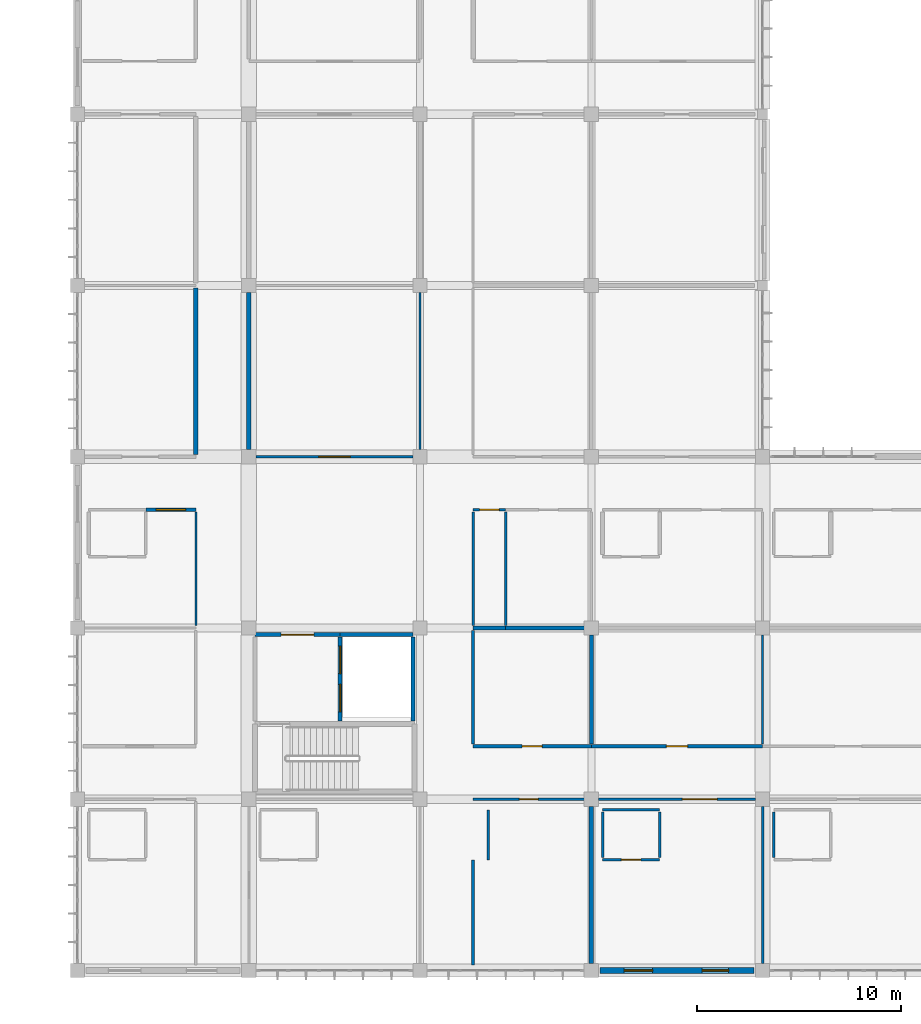
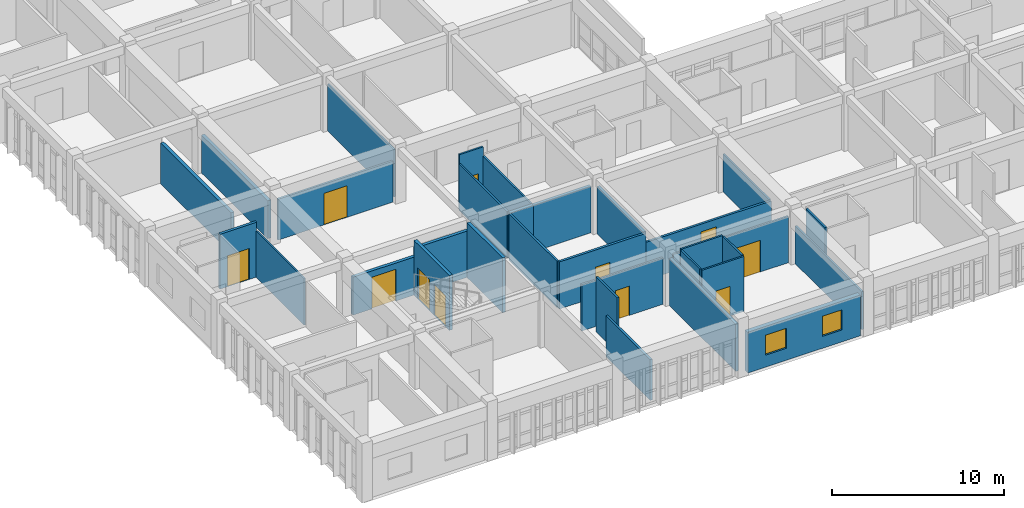
# One storey, part 79 of 119: 32 walls, 11 doors, 2 windows, 13 openings.
"""IFC4 building model written with IfcOpenShell, lengths in metres."""

from ifc_helpers import new_model, si_unit, direction, frame, frame_2d, origin, place, context, subcontext, project, spatial, rectangle, extrude, material, layer, layer_set, type_object, element, fill, save


model = new_model("IFC4")

# Units and contexts
model_context = context("Model", 3, precision=1e-05, world=origin(), true_north=direction((0.0, 1.0)))
body_context = subcontext(model_context, "Body", "Model", "MODEL_VIEW")
ifc_project = project(units=[si_unit("LENGTHUNIT", "METRE"), si_unit("AREAUNIT", "SQUARE_METRE"), si_unit("VOLUMEUNIT", "CUBIC_METRE"), si_unit("PLANEANGLEUNIT", "RADIAN"), si_unit("MASSUNIT", "GRAM", prefix="KILO")], contexts=[model_context])

# Site, building, storey
site_placement = place(None, origin())
site = spatial("IfcSite", under=ifc_project, at=site_placement, CompositionType="ELEMENT")
building_placement = place(site_placement, origin())
building = spatial("IfcBuilding", under=site, at=building_placement, Name="Bramfleet General Hospital", CompositionType="ELEMENT")
storey_placement = place(building_placement, frame((0.0, 0.0, 14.39990234375)))
storey = spatial("IfcBuildingStorey", under=building, at=storey_placement, Name="L03", CompositionType="ELEMENT", Elevation=14.39990234375)

# Wall, openings, windows
ifc_material_1 = material(Name="Precast concrete C40/50", Category="concrete")
ifc_layer_1 = layer(ifc_material_1, 0.294921875, Name="WT-EW-05")
ifc_layer_set_1 = layer_set([ifc_layer_1], Name="Precast concrete C40/50")
wall_type_1 = type_object("IfcWallType", Name="WT-EW-05", PredefinedType="SOLIDWALL", material=ifc_layer_set_1)
wall_1_placement = place(storey_placement, frame((125.574951171875, 0.0, 0.0), z_axis=(0.0, 0.0, 1.0), x_axis=(-1.0, 0.0, 0.0)))
wall_1 = element("IfcWall", 1, at=wall_1_placement, inside=storey, type_object=wall_type_1, Name="L03 Exterior Wall 269", PredefinedType="SOLIDWALL", context=body_context, shape_type="SweptSolid", body=[
    extrude(rectangle(XDim=7.550048828125, YDim=0.294921875, at=frame_2d((3.77490234375, 0.0))), origin(), (0.0, 0.0, 1.0), 2.89013671875),
])
opening_1_placement = place(wall_1_placement, frame((1.237548828125, 0.0, 0.85009765625)))
opening_1 = element("IfcOpeningElement", 2, at=opening_1_placement, cuts=wall_1, Name="Opening W-14", PredefinedType="OPENING", context=body_context, shape_type="SweptSolid", body=[
    extrude(rectangle(XDim=1.300048828125, YDim=1.419921875, at=frame_2d((0.64990234375, 0.7099609375))), frame((0.0, 0.157470703125, 0.0), z_axis=(0.0, -1.0, 0.0), x_axis=(1.0, 0.0, 0.0)), (0.0, 0.0, 1.0), 0.31494140625),
])
opening_2_placement = place(wall_1_placement, frame((4.96240234375, 0.0, 0.85009765625)))
opening_2 = element("IfcOpeningElement", 3, at=opening_2_placement, cuts=wall_1, Name="Opening W-15", PredefinedType="OPENING", context=body_context, shape_type="SweptSolid", body=[
    extrude(rectangle(XDim=1.39990234375, YDim=1.419921875, at=frame_2d((0.699951171875, 0.7099609375))), frame((0.0, 0.157470703125, 0.0), z_axis=(0.0, -1.0, 0.0), x_axis=(1.0, 0.0, 0.0)), (0.0, 0.0, 1.0), 0.31494140625),
])
ifc_material_2 = material(Name="Anodised aluminium and low-E triple glazing", Category="aluminium")
window_type_1 = type_object("IfcWindowType", Name="WIN-W-14", PartitioningType="SINGLE_PANEL", PredefinedType="WINDOW", material=ifc_material_2)
window_1_placement = place(opening_1_placement, origin())
window_1 = element("IfcWindow", 4, at=window_1_placement, inside=storey, type_object=window_type_1, Name="L03 Facade Window WIN-L03-269-1", OverallHeight=1.419921875, OverallWidth=1.300048828125, PartitioningType="SINGLE_PANEL", PredefinedType="WINDOW", context=body_context, shape_type="SweptSolid", body=[
    extrude(rectangle(XDim=1.300048828125, YDim=1.419921875, at=frame_2d((0.64990234375, 0.7099609375))), frame((0.0, 0.030029296875, 0.0), z_axis=(0.0, -1.0, 0.0), x_axis=(1.0, 0.0, 0.0)), (0.0, 0.0, 1.0), 0.06005859375),
])
fill(opening_1, window_1)
window_type_2 = type_object("IfcWindowType", Name="WIN-W-15", PartitioningType="SINGLE_PANEL", PredefinedType="WINDOW", material=ifc_material_2)
window_2_placement = place(opening_2_placement, origin())
window_2 = element("IfcWindow", 5, at=window_2_placement, inside=storey, type_object=window_type_2, Name="L03 Facade Window WIN-L03-269-2", OverallHeight=1.419921875, OverallWidth=1.39990234375, PartitioningType="SINGLE_PANEL", PredefinedType="WINDOW", context=body_context, shape_type="SweptSolid", body=[
    extrude(rectangle(XDim=1.39990234375, YDim=1.419921875, at=frame_2d((0.699951171875, 0.7099609375))), frame((0.0, 0.030029296875, 0.0), z_axis=(0.0, -1.0, 0.0), x_axis=(1.0, 0.0, 0.0)), (0.0, 0.0, 1.0), 0.06005859375),
])
fill(opening_2, window_2)

# Walls
ifc_material_3 = material(Name="Concrete C35/45", Category="concrete")
ifc_layer_2 = layer(ifc_material_3, 0.219970703125, Name="WT-IW-01")
ifc_layer_set_2 = layer_set([ifc_layer_2], Name="Concrete C35/45")
wall_type_2 = type_object("IfcWallType", Name="WT-IW-01", PredefinedType="PARTITIONING", material=ifc_layer_set_2)
wall_2_placement = place(storey_placement, frame((111.800048828125, 16.800048828125, 0.0), z_axis=(0.0, 0.0, 1.0), x_axis=(1.0, 0.0, 0.0)))
element("IfcWall", 6, at=wall_2_placement, inside=storey, type_object=wall_type_2, Name="L03 Interior Partition IW-L03-2485", PredefinedType="PARTITIONING", context=body_context, shape_type="SweptSolid", body=[
    extrude(rectangle(XDim=1.599853515625, YDim=0.219970703125, at=frame_2d((0.7998046875, 0.0))), origin(), (0.0, 0.0, 1.0), 3.2900390625),
])
wall_3_placement = place(storey_placement, frame((98.199951171875, 25.31494140625, 0.0), z_axis=(0.0, 0.0, 1.0), x_axis=(0.0, 1.0, 0.0)))
element("IfcWall", 7, at=wall_3_placement, inside=storey, type_object=wall_type_2, Name="L03 Interior Partition IW-L03-2929", PredefinedType="PARTITIONING", context=body_context, shape_type="SweptSolid", body=[
    extrude(rectangle(XDim=8.170166015625, YDim=0.219970703125, at=frame_2d((4.0849609375, 0.0))), origin(), (0.0, 0.0, 1.0), 2.89013671875),
])
wall_4_placement = place(storey_placement, frame((100.800048828125, 25.544921875, 0.0), z_axis=(0.0, 0.0, 1.0), x_axis=(0.0, 1.0, 0.0)))
element("IfcWall", 8, at=wall_4_placement, inside=storey, type_object=wall_type_2, Name="L03 Interior Partition IW-L03-2941", PredefinedType="PARTITIONING", context=body_context, shape_type="SweptSolid", body=[
    extrude(rectangle(XDim=7.7099609375, YDim=0.219970703125, at=frame_2d((3.85498046875, 0.0))), origin(), (0.0, 0.0, 1.0), 2.690185546875),
])

# Wall, openings, doors
ifc_layer_3 = layer(ifc_material_3, 0.205078125, Name="WT-IW-02")
ifc_layer_set_3 = layer_set([ifc_layer_3], Name="Concrete C35/45")
wall_type_3 = type_object("IfcWallType", Name="WT-IW-02", PredefinedType="PARTITIONING", material=ifc_layer_set_3)
wall_5_placement = place(storey_placement, frame((105.280029296875, 12.239990234375, 0.0), z_axis=(0.0, 0.0, 1.0), x_axis=(0.0, 1.0, 0.0)))
wall_5 = element("IfcWall", 9, at=wall_5_placement, inside=storey, type_object=wall_type_3, Name="L03 C3 Lobby East Shaft Wall", PredefinedType="PARTITIONING", context=body_context, shape_type="SweptSolid", body=[
    extrude(rectangle(XDim=4.1201171875, YDim=0.205078125, at=frame_2d((2.06005859375, 0.0))), origin(), (0.0, 0.0, 1.0), 3.89013671875),
])
opening_3_placement = place(wall_5_placement, frame((0.445068359375, 0.0, 0.0)))
opening_3 = element("IfcOpeningElement", 10, at=opening_3_placement, cuts=wall_5, Name="Opening LD-FL-01-L03", PredefinedType="OPENING", context=body_context, shape_type="SweptSolid", body=[
    extrude(rectangle(XDim=1.35009765625, YDim=2.199951171875, at=frame_2d((0.675048828125, 1.10009765625))), frame((0.0, 0.112548828125, 0.0), z_axis=(0.0, -1.0, 0.0), x_axis=(1.0, 0.0, 0.0)), (0.0, 0.0, 1.0), 0.22509765625),
])
opening_4_placement = place(wall_5_placement, frame((2.324951171875, 0.0, 0.0)))
opening_4 = element("IfcOpeningElement", 11, at=opening_4_placement, cuts=wall_5, Name="Opening LD-BL-03-L03", PredefinedType="OPENING", context=body_context, shape_type="SweptSolid", body=[
    extrude(rectangle(XDim=1.35009765625, YDim=2.199951171875, at=frame_2d((0.675048828125, 1.10009765625))), frame((0.0, 0.112548828125, 0.0), z_axis=(0.0, -1.0, 0.0), x_axis=(1.0, 0.0, 0.0)), (0.0, 0.0, 1.0), 0.22509765625),
])
ifc_material_4 = material(Name="Brushed stainless steel 1.4301", Category="steel")
door_type_1 = type_object("IfcDoorType", Name="DR-LD-01", OperationType="NOTDEFINED", PredefinedType="DOOR", material=ifc_material_4)
door_1_placement = place(opening_3_placement, origin())
door_1 = element("IfcDoor", 12, at=door_1_placement, inside=storey, type_object=door_type_1, Name="L03 Lift FL-01 Sliding Landing Door", OperationType="SLIDING_TO_LEFT", OverallHeight=2.199951171875, OverallWidth=1.35009765625, PredefinedType="DOOR", context=body_context, shape_type="SweptSolid", body=[
    extrude(rectangle(XDim=1.35009765625, YDim=2.199951171875, at=frame_2d((0.675048828125, 1.10009765625))), frame((0.0, 0.02490234375, 0.0), z_axis=(0.0, -1.0, 0.0), x_axis=(1.0, 0.0, 0.0)), (0.0, 0.0, 1.0), 0.050048828125),
])
fill(opening_3, door_1)
door_2_placement = place(opening_4_placement, origin())
door_2 = element("IfcDoor", 13, at=door_2_placement, inside=storey, type_object=door_type_1, Name="L03 Lift BL-03 Sliding Landing Door", OperationType="SLIDING_TO_LEFT", OverallHeight=2.199951171875, OverallWidth=1.35009765625, PredefinedType="DOOR", context=body_context, shape_type="SweptSolid", body=[
    extrude(rectangle(XDim=1.35009765625, YDim=2.199951171875, at=frame_2d((0.675048828125, 1.10009765625))), frame((0.0, 0.02490234375, 0.0), z_axis=(0.0, -1.0, 0.0), x_axis=(1.0, 0.0, 0.0)), (0.0, 0.0, 1.0), 0.050048828125),
])
fill(opening_4, door_2)

# Walls
wall_6_placement = place(storey_placement, frame((108.85009765625, 12.239990234375, 0.0), z_axis=(0.0, 0.0, 1.0), x_axis=(0.0, 1.0, 0.0)))
element("IfcWall", 14, at=wall_6_placement, inside=storey, type_object=wall_type_3, Name="L03 C3 Lift Shaft East Wall", PredefinedType="PARTITIONING", context=body_context, shape_type="SweptSolid", body=[
    extrude(rectangle(XDim=4.1201171875, YDim=0.205078125, at=frame_2d((2.06005859375, 0.0))), origin(), (0.0, 0.0, 1.0), 3.89013671875),
])
wall_7_placement = place(storey_placement, frame((105.280029296875, 16.47998046875, 0.0), z_axis=(0.0, 0.0, 1.0), x_axis=(1.0, 0.0, 0.0)))
element("IfcWall", 15, at=wall_7_placement, inside=storey, type_object=wall_type_3, Name="L03 C3 Lift Shaft North Wall", PredefinedType="PARTITIONING", context=body_context, shape_type="SweptSolid", body=[
    extrude(rectangle(XDim=3.570068359375, YDim=0.205078125, at=frame_2d((1.78515625, 0.0))), origin(), (0.0, 0.0, 1.0), 3.2900390625),
])

# Wall, opening, door
wall_8_placement = place(storey_placement, frame((101.10009765625, 16.47998046875, 0.0), z_axis=(0.0, 0.0, 1.0), x_axis=(1.0, 0.0, 0.0)))
wall_8 = element("IfcWall", 16, at=wall_8_placement, inside=storey, type_object=wall_type_3, Name="L03 C3 Lobby North Compartment Wall", PredefinedType="PARTITIONING", context=body_context, shape_type="SweptSolid", body=[
    extrude(rectangle(XDim=4.179931640625, YDim=0.205078125, at=frame_2d((2.08984375, 0.0))), origin(), (0.0, 0.0, 1.0), 2.690185546875),
])
opening_5_placement = place(wall_8_placement, frame((1.2900390625, 0.0, 0.0)))
opening_5 = element("IfcOpeningElement", 17, at=opening_5_placement, cuts=wall_8, Name="Opening D0028", PredefinedType="OPENING", context=body_context, shape_type="SweptSolid", body=[
    extrude(rectangle(XDim=1.60009765625, YDim=2.25, at=frame_2d((0.800048828125, 1.125))), frame((0.0, 0.112548828125, 0.0), z_axis=(0.0, -1.0, 0.0), x_axis=(1.0, 0.0, 0.0)), (0.0, 0.0, 1.0), 0.22509765625),
])
ifc_material_5 = material(Name="Stainless steel and acoustic timber leaf", Category="steel")
door_type_2 = type_object("IfcDoorType", Name="DR-D-04", OperationType="NOTDEFINED", PredefinedType="DOOR", material=ifc_material_5)
door_3_placement = place(opening_5_placement, origin())
door_3 = element("IfcDoor", 18, at=door_3_placement, inside=storey, type_object=door_type_2, Name="L03 C3 Lobby Fire Door D0028", OperationType="DOUBLE_SWING_LEFT", OverallHeight=2.25, OverallWidth=1.60009765625, PredefinedType="DOOR", context=body_context, shape_type="SweptSolid", body=[
    extrude(rectangle(XDim=1.60009765625, YDim=2.25, at=frame_2d((0.800048828125, 1.125))), frame((0.0, 0.02490234375, 0.0), z_axis=(0.0, -1.0, 0.0), x_axis=(1.0, 0.0, 0.0)), (0.0, 0.0, 1.0), 0.050048828125),
])
fill(opening_5, door_3)

# Walls
wall_9_placement = place(storey_placement, frame((113.39990234375, 16.800048828125, 0.0), z_axis=(0.0, 0.0, 1.0), x_axis=(1.0, 0.0, 0.0)))
element("IfcWall", 19, at=wall_9_placement, inside=storey, type_object=wall_type_3, Name="L03 Interior Partition IW-L03-2486", PredefinedType="PARTITIONING", context=body_context, shape_type="SweptSolid", body=[
    extrude(rectangle(XDim=3.85498046875, YDim=0.205078125, at=frame_2d((1.927490234375, 0.0))), origin(), (0.0, 0.0, 1.0), 3.2900390625),
])
wall_10_placement = place(storey_placement, frame((117.60009765625, 0.344970703125, 0.0), z_axis=(0.0, 0.0, 1.0), x_axis=(0.0, 1.0, 0.0)))
element("IfcWall", 20, at=wall_10_placement, inside=storey, type_object=wall_type_3, Name="L03 Interior Partition IW-L03-2978", PredefinedType="PARTITIONING", context=body_context, shape_type="SweptSolid", body=[
    extrude(rectangle(XDim=7.7099609375, YDim=0.205078125, at=frame_2d((3.85498046875, 0.0))), origin(), (0.0, 0.0, 1.0), 3.340087890625),
])
ifc_layer_4 = layer(ifc_material_3, 0.18994140625, Name="WT-IW-03")
ifc_layer_set_4 = layer_set([ifc_layer_4], Name="Concrete C35/45")
wall_type_4 = type_object("IfcWallType", Name="WT-IW-03", PredefinedType="PARTITIONING", material=ifc_layer_set_4)
wall_11_placement = place(storey_placement, frame((117.60009765625, 11.114990234375, 0.0), z_axis=(0.0, 0.0, 1.0), x_axis=(0.0, 1.0, 0.0)))
element("IfcWall", 21, at=wall_11_placement, inside=storey, type_object=wall_type_4, Name="L03 Interior Partition IW-L03-2979", PredefinedType="PARTITIONING", context=body_context, shape_type="SweptSolid", body=[
    extrude(rectangle(XDim=5.340087890625, YDim=0.18994140625, at=frame_2d((2.669921875, 0.0))), origin(), (0.0, 0.0, 1.0), 3.340087890625),
])

# Wall, opening, door
ifc_material_6 = material(Name="Gypsum plasterboard on acoustic steel studs", Category="steel")
ifc_layer_5 = layer(ifc_material_6, 0.169921875, Name="WT-IW-05")
ifc_layer_set_5 = layer_set([ifc_layer_5], Name="Gypsum plasterboard on acoustic steel studs")
wall_type_5 = type_object("IfcWallType", Name="WT-IW-05", PredefinedType="PARTITIONING", material=ifc_layer_set_5)
wall_12_placement = place(storey_placement, frame((95.75, 22.60009765625, 0.0), z_axis=(0.0, 0.0, 1.0), x_axis=(1.0, 0.0, 0.0)))
wall_12 = element("IfcWall", 22, at=wall_12_placement, inside=storey, type_object=wall_type_5, Name="L03 Interior Partition IW-L03-2501", PredefinedType="PARTITIONING", context=body_context, shape_type="SweptSolid", body=[
    extrude(rectangle(XDim=2.449951171875, YDim=0.169921875, at=frame_2d((1.22509765625, 0.0))), origin(), (0.0, 0.0, 1.0), 3.89013671875),
])
opening_6_placement = place(wall_12_placement, frame((0.5, 0.0, 0.0)))
opening_6 = element("IfcOpeningElement", 23, at=opening_6_placement, cuts=wall_12, Name="Opening D1123", PredefinedType="OPENING", context=body_context, shape_type="SweptSolid", body=[
    extrude(rectangle(XDim=1.449951171875, YDim=2.199951171875, at=frame_2d((0.72509765625, 1.10009765625))), frame((0.0, 0.094970703125, 0.0), z_axis=(0.0, -1.0, 0.0), x_axis=(1.0, 0.0, 0.0)), (0.0, 0.0, 1.0), 0.18994140625),
])
door_type_3 = type_object("IfcDoorType", Name="DR-D-03", OperationType="NOTDEFINED", PredefinedType="DOOR", material=ifc_material_5)
door_4_placement = place(opening_6_placement, origin())
door_4 = element("IfcDoor", 24, at=door_4_placement, inside=storey, type_object=door_type_3, Name="Paediatric Ward Bedroom L03-1102 Door D1123", OperationType="SINGLE_SWING_RIGHT", OverallHeight=2.199951171875, OverallWidth=1.449951171875, PredefinedType="DOOR", context=body_context, shape_type="SweptSolid", body=[
    extrude(rectangle(XDim=1.449951171875, YDim=2.199951171875, at=frame_2d((0.72509765625, 1.10009765625))), frame((0.0, 0.02490234375, 0.0), z_axis=(0.0, -1.0, 0.0), x_axis=(1.0, 0.0, 0.0)), (0.0, 0.0, 1.0), 0.050048828125),
])
fill(opening_6, door_4)

ifc_layer_6 = layer(ifc_material_6, 0.159912109375, Name="WT-IW-06")
ifc_layer_set_6 = layer_set([ifc_layer_6], Name="Gypsum plasterboard on acoustic steel studs")
wall_type_6 = type_object("IfcWallType", Name="WT-IW-06", PredefinedType="PARTITIONING", material=ifc_layer_set_6)
wall_13_placement = place(storey_placement, frame((111.800048828125, 11.0, 0.0), z_axis=(0.0, 0.0, 1.0), x_axis=(1.0, 0.0, 0.0)))
wall_13 = element("IfcWall", 25, at=wall_13_placement, inside=storey, type_object=wall_type_6, Name="L03 Interior Partition IW-L03-2478", PredefinedType="PARTITIONING", context=body_context, shape_type="SweptSolid", body=[
    extrude(rectangle(XDim=5.800048828125, YDim=0.159912109375, at=frame_2d((2.89990234375, 0.0))), origin(), (0.0, 0.0, 1.0), 3.340087890625),
])
opening_7_placement = place(wall_13_placement, frame((2.409912109375, 0.0, 0.0)))
opening_7 = element("IfcOpeningElement", 26, at=opening_7_placement, cuts=wall_13, Name="Opening D1146", PredefinedType="OPENING", context=body_context, shape_type="SweptSolid", body=[
    extrude(rectangle(XDim=0.97998046875, YDim=2.1201171875, at=frame_2d((0.489990234375, 1.06005859375))), frame((0.0, 0.08984375, 0.0), z_axis=(0.0, -1.0, 0.0), x_axis=(1.0, 0.0, 0.0)), (0.0, 0.0, 1.0), 0.179931640625),
])
door_type_4 = type_object("IfcDoorType", Name="DR-D-26", OperationType="NOTDEFINED", PredefinedType="DOOR", material=ifc_material_5)
door_5_placement = place(opening_7_placement, origin())
door_5 = element("IfcDoor", 27, at=door_5_placement, inside=storey, type_object=door_type_4, Name="Paediatric Nurse Station and Play Lounge L03-1301 Door D1146", OperationType="SINGLE_SWING_LEFT", OverallHeight=2.1201171875, OverallWidth=0.97998046875, PredefinedType="DOOR", context=body_context, shape_type="SweptSolid", body=[
    extrude(rectangle(XDim=0.97998046875, YDim=2.1201171875, at=frame_2d((0.489990234375, 1.06005859375))), frame((0.0, 0.02490234375, 0.0), z_axis=(0.0, -1.0, 0.0), x_axis=(1.0, 0.0, 0.0)), (0.0, 0.0, 1.0), 0.050048828125),
])
fill(opening_7, door_5)

ifc_layer_7 = layer(ifc_material_6, 0.14990234375, Name="WT-IW-07")
ifc_layer_set_7 = layer_set([ifc_layer_7], Name="Gypsum plasterboard on acoustic steel studs")
wall_type_7 = type_object("IfcWallType", Name="WT-IW-07", PredefinedType="PARTITIONING", material=ifc_layer_set_7)
wall_14_placement = place(storey_placement, frame((117.60009765625, 11.0, 0.0), z_axis=(0.0, 0.0, 1.0), x_axis=(1.0, 0.0, 0.0)))
wall_14 = element("IfcWall", 28, at=wall_14_placement, inside=storey, type_object=wall_type_7, Name="L03 Interior Partition IW-L03-2479", PredefinedType="PARTITIONING", context=body_context, shape_type="SweptSolid", body=[
    extrude(rectangle(XDim=8.39990234375, YDim=0.14990234375, at=frame_2d((4.199951171875, 0.0))), origin(), (0.0, 0.0, 1.0), 2.690185546875),
])
opening_8_placement = place(wall_14_placement, frame((3.675048828125, 0.0, 0.0)))
opening_8 = element("IfcOpeningElement", 29, at=opening_8_placement, cuts=wall_14, Name="Opening D1161", PredefinedType="OPENING", context=body_context, shape_type="SweptSolid", body=[
    extrude(rectangle(XDim=1.050048828125, YDim=2.14990234375, at=frame_2d((0.52490234375, 1.074951171875))), frame((0.0, 0.0849609375, 0.0), z_axis=(0.0, -1.0, 0.0), x_axis=(1.0, 0.0, 0.0)), (0.0, 0.0, 1.0), 0.169921875),
])
door_type_5 = type_object("IfcDoorType", Name="DR-D-09", OperationType="NOTDEFINED", PredefinedType="DOOR", material=ifc_material_5)
door_6_placement = place(opening_8_placement, origin())
door_6 = element("IfcDoor", 30, at=door_6_placement, inside=storey, type_object=door_type_5, Name="Paediatric Nurse Station and Play Lounge L03-1401 Door D1161", OperationType="SINGLE_SWING_RIGHT", OverallHeight=2.14990234375, OverallWidth=1.050048828125, PredefinedType="DOOR", context=body_context, shape_type="SweptSolid", body=[
    extrude(rectangle(XDim=1.050048828125, YDim=2.14990234375, at=frame_2d((0.52490234375, 1.074951171875))), frame((0.0, 0.02490234375, 0.0), z_axis=(0.0, -1.0, 0.0), x_axis=(1.0, 0.0, 0.0)), (0.0, 0.0, 1.0), 0.050048828125),
])
fill(opening_8, door_6)

ifc_layer_8 = layer(ifc_material_6, 0.139892578125, Name="WT-IW-08")
ifc_layer_set_8 = layer_set([ifc_layer_8], Name="Gypsum plasterboard on acoustic steel studs")
wall_type_8 = type_object("IfcWallType", Name="WT-IW-08", PredefinedType="PARTITIONING", material=ifc_layer_set_8)
wall_15_placement = place(storey_placement, frame((101.14501953125, 25.199951171875, 0.0), z_axis=(0.0, 0.0, 1.0), x_axis=(1.0, 0.0, 0.0)))
wall_15 = element("IfcWall", 31, at=wall_15_placement, inside=storey, type_object=wall_type_8, Name="L03 Interior Partition IW-L03-2516", PredefinedType="PARTITIONING", context=body_context, shape_type="SweptSolid", body=[
    extrude(rectangle(XDim=7.7099609375, YDim=0.139892578125, at=frame_2d((3.85498046875, 0.0))), origin(), (0.0, 0.0, 1.0), 2.89013671875),
])
opening_9_placement = place(wall_15_placement, frame((3.0849609375, 0.0, 0.0)))
opening_9 = element("IfcOpeningElement", 32, at=opening_9_placement, cuts=wall_15, Name="Opening D1137", PredefinedType="OPENING", context=body_context, shape_type="SweptSolid", body=[
    extrude(rectangle(XDim=1.5400390625, YDim=2.239990234375, at=frame_2d((0.77001953125, 1.1201171875))), frame((0.0, 0.079833984375, 0.0), z_axis=(0.0, -1.0, 0.0), x_axis=(1.0, 0.0, 0.0)), (0.0, 0.0, 1.0), 0.159912109375),
])
door_type_6 = type_object("IfcDoorType", Name="DR-D-17", OperationType="NOTDEFINED", PredefinedType="DOOR", material=ifc_material_5)
door_7_placement = place(opening_9_placement, origin())
door_7 = element("IfcDoor", 33, at=door_7_placement, inside=storey, type_object=door_type_6, Name="Maternity Delivery Suite and Clinical Lab L03-1203 Door D1137", OperationType="SINGLE_SWING_RIGHT", OverallHeight=2.239990234375, OverallWidth=1.5400390625, PredefinedType="DOOR", context=body_context, shape_type="SweptSolid", body=[
    extrude(rectangle(XDim=1.5400390625, YDim=2.239990234375, at=frame_2d((0.77001953125, 1.1201171875))), frame((0.0, 0.02490234375, 0.0), z_axis=(0.0, -1.0, 0.0), x_axis=(1.0, 0.0, 0.0)), (0.0, 0.0, 1.0), 0.050048828125),
])
fill(opening_9, door_7)

# Walls
wall_16_placement = place(storey_placement, frame((111.800048828125, 0.280029296875, 0.0), z_axis=(0.0, 0.0, 1.0), x_axis=(0.0, 1.0, 0.0)))
element("IfcWall", 34, at=wall_16_placement, inside=storey, type_object=wall_type_8, Name="L03 Interior Partition IW-L03-2960", PredefinedType="PARTITIONING", context=body_context, shape_type="SweptSolid", body=[
    extrude(rectangle(XDim=5.14990234375, YDim=0.139892578125, at=frame_2d((2.574951171875, 0.0))), origin(), (0.0, 0.0, 1.0), 2.89013671875),
])
ifc_layer_9 = layer(ifc_material_6, 0.1298828125, Name="WT-IW-09")
ifc_layer_set_9 = layer_set([ifc_layer_9], Name="Gypsum plasterboard on acoustic steel studs")
wall_type_9 = type_object("IfcWallType", Name="WT-IW-09", PredefinedType="PARTITIONING", material=ifc_layer_set_9)
wall_17_placement = place(storey_placement, frame((111.800048828125, 11.114990234375, 0.0), z_axis=(0.0, 0.0, 1.0), x_axis=(0.0, 1.0, 0.0)))
element("IfcWall", 35, at=wall_17_placement, inside=storey, type_object=wall_type_9, Name="L03 Interior Partition IW-L03-2961", PredefinedType="PARTITIONING", context=body_context, shape_type="SweptSolid", body=[
    extrude(rectangle(XDim=5.570068359375, YDim=0.1298828125, at=frame_2d((2.78515625, 0.0))), origin(), (0.0, 0.0, 1.0), 3.2900390625),
])
wall_18_placement = place(storey_placement, frame((112.550048828125, 5.429931640625, 0.0), z_axis=(0.0, 0.0, 1.0), x_axis=(0.0, 1.0, 0.0)))
element("IfcWall", 36, at=wall_18_placement, inside=storey, type_object=wall_type_9, Name="L03 Interior Partition IW-L03-2973", PredefinedType="PARTITIONING", context=body_context, shape_type="SweptSolid", body=[
    extrude(rectangle(XDim=2.449951171875, YDim=0.1298828125, at=frame_2d((1.22509765625, 0.0))), origin(), (0.0, 0.0, 1.0), 3.89013671875),
])

# Wall, opening, door
ifc_layer_10 = layer(ifc_material_6, 0.1201171875, Name="WT-IW-10")
ifc_layer_set_10 = layer_set([ifc_layer_10], Name="Gypsum plasterboard on acoustic steel studs")
wall_type_10 = type_object("IfcWallType", Name="WT-IW-10", PredefinedType="PARTITIONING", material=ifc_layer_set_10)
wall_19_placement = place(storey_placement, frame((118.14990234375, 5.429931640625, 0.0), z_axis=(0.0, 0.0, 1.0), x_axis=(1.0, 0.0, 0.0)))
wall_19 = element("IfcWall", 37, at=wall_19_placement, inside=storey, type_object=wall_type_10, Name="L03 Interior Partition IW-L03-2456", PredefinedType="PARTITIONING", context=body_context, shape_type="SweptSolid", body=[
    extrude(rectangle(XDim=2.800048828125, YDim=0.1201171875, at=frame_2d((1.39990234375, 0.0))), origin(), (0.0, 0.0, 1.0), 3.89013671875),
])
opening_10_placement = place(wall_19_placement, frame((0.925048828125, 0.0, 0.0)))
opening_10 = element("IfcOpeningElement", 38, at=opening_10_placement, cuts=wall_19, Name="Opening D1160", PredefinedType="OPENING", context=body_context, shape_type="SweptSolid", body=[
    extrude(rectangle(XDim=0.949951171875, YDim=2.10009765625, at=frame_2d((0.47509765625, 1.050048828125))), frame((0.0, 0.070068359375, 0.0), z_axis=(0.0, -1.0, 0.0), x_axis=(1.0, 0.0, 0.0)), (0.0, 0.0, 1.0), 0.14013671875),
])
door_type_7 = type_object("IfcDoorType", Name="DR-D-10", OperationType="NOTDEFINED", PredefinedType="DOOR", material=ifc_material_5)
door_8_placement = place(opening_10_placement, origin())
door_8 = element("IfcDoor", 39, at=door_8_placement, inside=storey, type_object=door_type_7, Name="Paediatric En-Suite Bathroom L03-1400 Door D1160", OperationType="SINGLE_SWING_LEFT", OverallHeight=2.10009765625, OverallWidth=0.949951171875, PredefinedType="DOOR", context=body_context, shape_type="SweptSolid", body=[
    extrude(rectangle(XDim=0.949951171875, YDim=2.10009765625, at=frame_2d((0.47509765625, 1.050048828125))), frame((0.0, 0.02490234375, 0.0), z_axis=(0.0, -1.0, 0.0), x_axis=(1.0, 0.0, 0.0)), (0.0, 0.0, 1.0), 0.050048828125),
])
fill(opening_10, door_8)

# Wall
wall_20_placement = place(storey_placement, frame((118.14990234375, 7.8798828125, 0.0), z_axis=(0.0, 0.0, 1.0), x_axis=(1.0, 0.0, 0.0)))
element("IfcWall", 40, at=wall_20_placement, inside=storey, type_object=wall_type_10, Name="L03 Interior Partition IW-L03-2463", PredefinedType="PARTITIONING", context=body_context, shape_type="SweptSolid", body=[
    extrude(rectangle(XDim=2.800048828125, YDim=0.1201171875, at=frame_2d((1.39990234375, 0.0))), origin(), (0.0, 0.0, 1.0), 3.89013671875),
])

# Wall, opening, door
wall_21_placement = place(storey_placement, frame((111.800048828125, 8.39990234375, 0.0), z_axis=(0.0, 0.0, 1.0), x_axis=(1.0, 0.0, 0.0)))
wall_21 = element("IfcWall", 41, at=wall_21_placement, inside=storey, type_object=wall_type_10, Name="L03 Interior Partition IW-L03-2470", PredefinedType="PARTITIONING", context=body_context, shape_type="SweptSolid", body=[
    extrude(rectangle(XDim=5.454833984375, YDim=0.1201171875, at=frame_2d((2.7275390625, 0.0))), origin(), (0.0, 0.0, 1.0), 3.2900390625),
])
opening_11_placement = place(wall_21_placement, frame((2.267578125, 0.0, 0.0)))
opening_11 = element("IfcOpeningElement", 42, at=opening_11_placement, cuts=wall_21, Name="Opening D1145", PredefinedType="OPENING", context=body_context, shape_type="SweptSolid", body=[
    extrude(rectangle(XDim=0.919921875, YDim=2.080078125, at=frame_2d((0.4599609375, 1.0400390625))), frame((0.0, 0.070068359375, 0.0), z_axis=(0.0, -1.0, 0.0), x_axis=(1.0, 0.0, 0.0)), (0.0, 0.0, 1.0), 0.14013671875),
])
door_type_8 = type_object("IfcDoorType", Name="DR-D-25", OperationType="NOTDEFINED", PredefinedType="DOOR", material=ifc_material_5)
door_9_placement = place(opening_11_placement, origin())
door_9 = element("IfcDoor", 43, at=door_9_placement, inside=storey, type_object=door_type_8, Name="Paediatric Ward Bedroom L03-1300 Door D1145", OperationType="SINGLE_SWING_RIGHT", OverallHeight=2.080078125, OverallWidth=0.919921875, PredefinedType="DOOR", context=body_context, shape_type="SweptSolid", body=[
    extrude(rectangle(XDim=0.919921875, YDim=2.080078125, at=frame_2d((0.4599609375, 1.0400390625))), frame((0.0, 0.02490234375, 0.0), z_axis=(0.0, -1.0, 0.0), x_axis=(1.0, 0.0, 0.0)), (0.0, 0.0, 1.0), 0.050048828125),
])
fill(opening_11, door_9)

wall_22_placement = place(storey_placement, frame((111.800048828125, 22.60009765625, 0.0), z_axis=(0.0, 0.0, 1.0), x_axis=(1.0, 0.0, 0.0)))
wall_22 = element("IfcWall", 44, at=wall_22_placement, inside=storey, type_object=wall_type_10, Name="L03 Interior Partition IW-L03-2502", PredefinedType="PARTITIONING", context=body_context, shape_type="SweptSolid", body=[
    extrude(rectangle(XDim=1.599853515625, YDim=0.1201171875, at=frame_2d((0.7998046875, 0.0))), origin(), (0.0, 0.0, 1.0), 3.89013671875),
])
opening_12_placement = place(wall_22_placement, frame((0.324951171875, 0.0, 0.0)))
opening_12 = element("IfcOpeningElement", 45, at=opening_12_placement, cuts=wall_22, Name="Opening D1147", PredefinedType="OPENING", context=body_context, shape_type="SweptSolid", body=[
    extrude(rectangle(XDim=0.949951171875, YDim=2.10009765625, at=frame_2d((0.47509765625, 1.050048828125))), frame((0.0, 0.070068359375, 0.0), z_axis=(0.0, -1.0, 0.0), x_axis=(1.0, 0.0, 0.0)), (0.0, 0.0, 1.0), 0.14013671875),
])
door_10_placement = place(opening_12_placement, origin())
door_10 = element("IfcDoor", 46, at=door_10_placement, inside=storey, type_object=door_type_7, Name="Level 03 Accessible WC Door D1147", OperationType="SINGLE_SWING_LEFT", OverallHeight=2.10009765625, OverallWidth=0.949951171875, PredefinedType="DOOR", context=body_context, shape_type="SweptSolid", body=[
    extrude(rectangle(XDim=0.949951171875, YDim=2.10009765625, at=frame_2d((0.47509765625, 1.050048828125))), frame((0.0, 0.02490234375, 0.0), z_axis=(0.0, -1.0, 0.0), x_axis=(1.0, 0.0, 0.0)), (0.0, 0.0, 1.0), 0.050048828125),
])
fill(opening_12, door_10)

# Walls
for number, where, z_axis, x_axis, name in (
    (47, (111.800048828125, 16.9150390625, 0.0), (0.0, 0.0, 1.0), (0.0, 1.0, 0.0), "L03 Interior Partition IW-L03-2962"),
    (48, (113.39990234375, 16.9150390625, 0.0), (0.0, 0.0, 1.0), (0.0, 1.0, 0.0), "L03 Interior Partition IW-L03-2974"),
):
    element("IfcWall", number, at=place(storey_placement, frame(where, z_axis=z_axis, x_axis=x_axis)), inside=storey, type_object=wall_type_10, Name=name, PredefinedType="PARTITIONING", context=body_context, shape_type="SweptSolid", body=[
        extrude(rectangle(XDim=5.570068359375, YDim=0.1201171875, at=frame_2d((2.78515625, 0.0))), origin(), (0.0, 0.0, 1.0), 3.2900390625),
    ])
for number, where, z_axis, x_axis, name in (
    (49, (118.14990234375, 5.544921875, 0.0), (0.0, 0.0, 1.0), (0.0, 1.0, 0.0), "L03 Interior Partition IW-L03-2991"),
    (50, (120.949951171875, 5.544921875, 0.0), (0.0, 0.0, 1.0), (0.0, 1.0, 0.0), "L03 Interior Partition IW-L03-2993"),
):
    element("IfcWall", number, at=place(storey_placement, frame(where, z_axis=z_axis, x_axis=x_axis)), inside=storey, type_object=wall_type_10, Name=name, PredefinedType="PARTITIONING", context=body_context, shape_type="SweptSolid", body=[
        extrude(rectangle(XDim=2.219970703125, YDim=0.1201171875, at=frame_2d((1.10986328125, 0.0))), origin(), (0.0, 0.0, 1.0), 3.89013671875),
    ])
wall_23_placement = place(storey_placement, frame((126.0, 0.344970703125, 0.0), z_axis=(0.0, 0.0, 1.0), x_axis=(0.0, 1.0, 0.0)))
element("IfcWall", 51, at=wall_23_placement, inside=storey, type_object=wall_type_10, Name="L03 Interior Partition IW-L03-2998", PredefinedType="PARTITIONING", context=body_context, shape_type="SweptSolid", body=[
    extrude(rectangle(XDim=7.7099609375, YDim=0.1201171875, at=frame_2d((3.85498046875, 0.0))), origin(), (0.0, 0.0, 1.0), 2.690185546875),
])
wall_24_placement = place(storey_placement, frame((126.550048828125, 5.544921875, 0.0), z_axis=(0.0, 0.0, 1.0), x_axis=(0.0, 1.0, 0.0)))
element("IfcWall", 52, at=wall_24_placement, inside=storey, type_object=wall_type_10, Name="L03 Interior Partition IW-L03-3007", PredefinedType="PARTITIONING", context=body_context, shape_type="SweptSolid", body=[
    extrude(rectangle(XDim=2.219970703125, YDim=0.1201171875, at=frame_2d((1.10986328125, 0.0))), origin(), (0.0, 0.0, 1.0), 3.89013671875),
])

# Wall, opening, door
ifc_layer_11 = layer(ifc_material_6, 0.112060546875, Name="WT-IW-11")
ifc_layer_set_11 = layer_set([ifc_layer_11], Name="Gypsum plasterboard on acoustic steel studs")
wall_type_11 = type_object("IfcWallType", Name="WT-IW-11", PredefinedType="PARTITIONING", material=ifc_layer_set_11)
wall_25_placement = place(storey_placement, frame((117.945068359375, 8.39990234375, 0.0), z_axis=(0.0, 0.0, 1.0), x_axis=(1.0, 0.0, 0.0)))
wall_25 = element("IfcWall", 53, at=wall_25_placement, inside=storey, type_object=wall_type_11, Name="L03 Interior Partition IW-L03-2471", PredefinedType="PARTITIONING", context=body_context, shape_type="SweptSolid", body=[
    extrude(rectangle(XDim=7.7099609375, YDim=0.112060546875, at=frame_2d((3.85498046875, 0.0))), origin(), (0.0, 0.0, 1.0), 3.2900390625),
])
opening_13_placement = place(wall_25_placement, frame((4.12548828125, 0.0, 0.0)))
opening_13 = element("IfcOpeningElement", 54, at=opening_13_placement, cuts=wall_25, Name="Opening D1159", PredefinedType="OPENING", context=body_context, shape_type="SweptSolid", body=[
    extrude(rectangle(XDim=1.699951171875, YDim=2.25, at=frame_2d((0.85009765625, 1.125))), frame((0.0, 0.06591796875, 0.0), z_axis=(0.0, -1.0, 0.0), x_axis=(1.0, 0.0, 0.0)), (0.0, 0.0, 1.0), 0.132080078125),
])
door_type_9 = type_object("IfcDoorType", Name="DR-D-07", OperationType="NOTDEFINED", PredefinedType="DOOR", material=ifc_material_5)
door_11_placement = place(opening_13_placement, origin())
door_11 = element("IfcDoor", 55, at=door_11_placement, inside=storey, type_object=door_type_9, Name="Paediatric Ward Bedroom L03-1400 Door D1159", OperationType="DOUBLE_SWING_RIGHT", OverallHeight=2.25, OverallWidth=1.699951171875, PredefinedType="DOOR", context=body_context, shape_type="SweptSolid", body=[
    extrude(rectangle(XDim=1.699951171875, YDim=2.25, at=frame_2d((0.85009765625, 1.125))), frame((0.0, 0.02490234375, 0.0), z_axis=(0.0, -1.0, 0.0), x_axis=(1.0, 0.0, 0.0)), (0.0, 0.0, 1.0), 0.050048828125),
])
fill(opening_13, door_11)

# Walls
wall_26_placement = place(storey_placement, frame((126.0, 11.114990234375, 0.0), z_axis=(0.0, 0.0, 1.0), x_axis=(0.0, 1.0, 0.0)))
element("IfcWall", 56, at=wall_26_placement, inside=storey, type_object=wall_type_11, Name="L03 Interior Partition IW-L03-2999", PredefinedType="PARTITIONING", context=body_context, shape_type="SweptSolid", body=[
    extrude(rectangle(XDim=5.340087890625, YDim=0.112060546875, at=frame_2d((2.669921875, 0.0))), origin(), (0.0, 0.0, 1.0), 2.690185546875),
])
ifc_layer_12 = layer(ifc_material_6, 0.10009765625, Name="WT-IW-12")
ifc_layer_set_12 = layer_set([ifc_layer_12], Name="Gypsum plasterboard on acoustic steel studs")
wall_type_12 = type_object("IfcWallType", Name="WT-IW-12", PredefinedType="PARTITIONING", material=ifc_layer_set_12)
wall_27_placement = place(storey_placement, frame((98.199951171875, 16.9150390625, 0.0), z_axis=(0.0, 0.0, 1.0), x_axis=(0.0, 1.0, 0.0)))
element("IfcWall", 57, at=wall_27_placement, inside=storey, type_object=wall_type_12, Name="L03 Interior Partition IW-L03-2928", PredefinedType="PARTITIONING", context=body_context, shape_type="SweptSolid", body=[
    extrude(rectangle(XDim=5.570068359375, YDim=0.10009765625, at=frame_2d((2.78515625, 0.0))), origin(), (0.0, 0.0, 1.0), 3.2900390625),
])
wall_28_placement = place(storey_placement, frame((109.199951171875, 25.544921875, 0.0), z_axis=(0.0, 0.0, 1.0), x_axis=(0.0, 1.0, 0.0)))
element("IfcWall", 58, at=wall_28_placement, inside=storey, type_object=wall_type_12, Name="L03 Interior Partition IW-L03-2952", PredefinedType="PARTITIONING", context=body_context, shape_type="SweptSolid", body=[
    extrude(rectangle(XDim=7.7099609375, YDim=0.10009765625, at=frame_2d((3.85498046875, 0.0))), origin(), (0.0, 0.0, 1.0), 3.340087890625),
])

save(model, "model.ifc")
